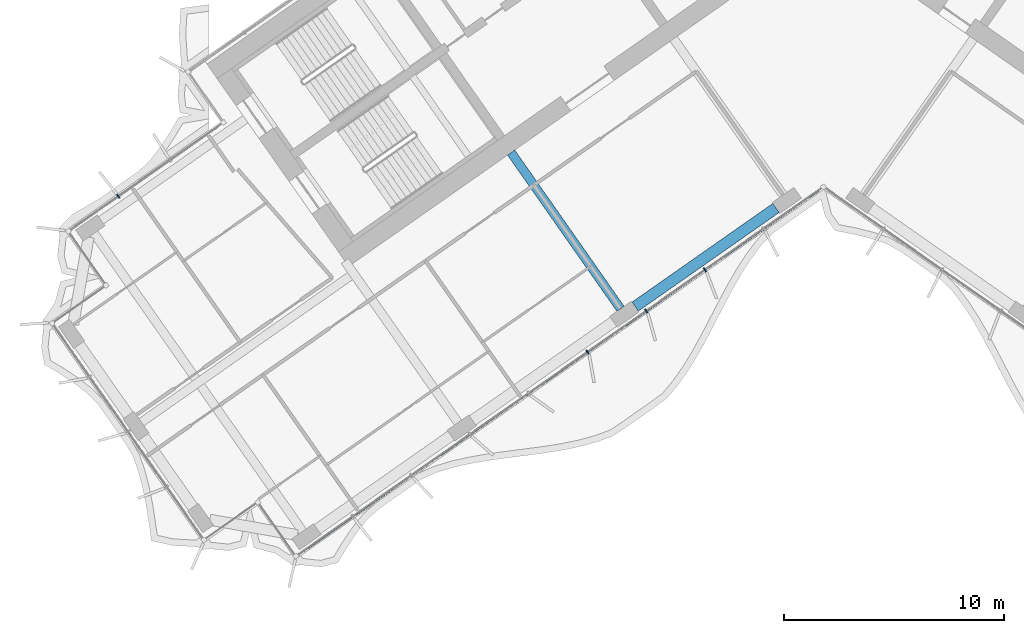
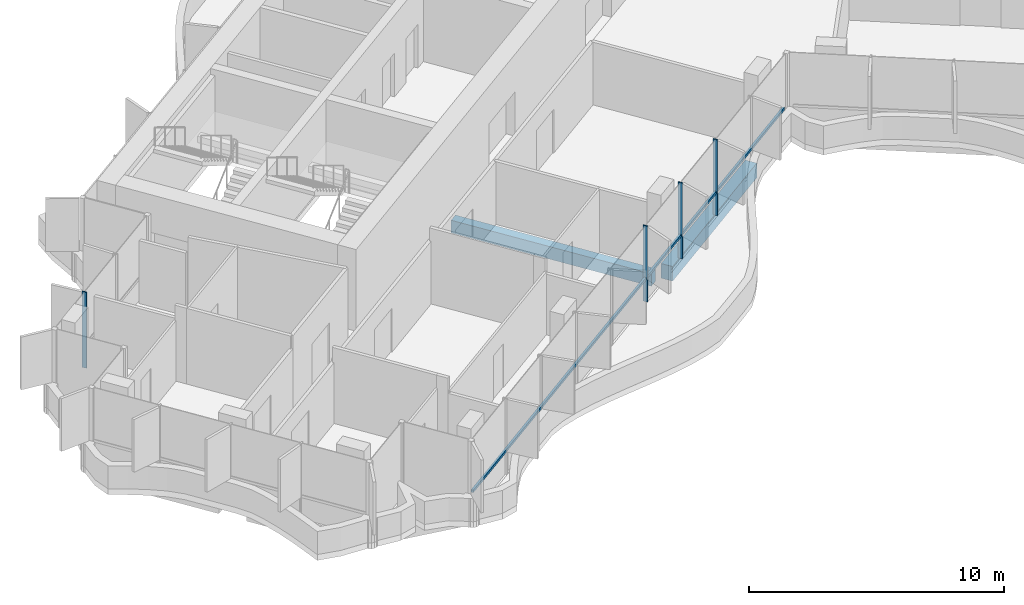
# One storey, part 3 of 21: 5 members, 2 beams, 1 element without a shape of its own.
"""IFC4 building model written with IfcOpenShell, lengths in metres."""

from ifc_helpers import new_model, si_unit, direction, frame, origin, origin_2d, place, context, subcontext, project, spatial, rectangle, extrude, material, material_profile, profile_set, type_object, element, aggregate, save


model = new_model("IFC4")

# Units and contexts
model_context = context("Model", 3, precision=1e-05, world=origin(), true_north=direction((0.0, 1.0)))
body_context = subcontext(model_context, "Body", "Model", "MODEL_VIEW")
ifc_project = project(units=[si_unit("LENGTHUNIT", "METRE"), si_unit("AREAUNIT", "SQUARE_METRE"), si_unit("VOLUMEUNIT", "CUBIC_METRE"), si_unit("PLANEANGLEUNIT", "RADIAN"), si_unit("MASSUNIT", "GRAM", prefix="KILO")], contexts=[model_context])

# Site, building, storey
site_placement = place(None, origin())
site = spatial("IfcSite", under=ifc_project, at=site_placement, CompositionType="ELEMENT")
building_placement = place(site_placement, origin())
building = spatial("IfcBuilding", under=site, at=building_placement, Name="Tel Ilan Convention Tower", CompositionType="ELEMENT")
storey_placement = place(building_placement, frame((0.0, 0.0, 206.10009765625)))
storey = spatial("IfcBuildingStorey", under=building, at=storey_placement, Name="L48", CompositionType="ELEMENT", Elevation=206.10009765625)

# Beams
ifc_material_1 = material(Name="Concrete C40/50", Category="concrete")
ifc_material_profile_1 = material_profile(ifc_material_1, rectangle(XDim=0.39990234375, YDim=0.60009765625, at=origin_2d()), Name="RC 400x600")
ifc_profile_set_1 = profile_set([ifc_material_profile_1], Name="Concrete C40/50")
beam_type_1 = type_object("IfcBeamType", Name="Beam RC 400x600 Concrete C40/50", PredefinedType="BEAM", material=ifc_profile_set_1)
beam_1_placement = place(storey_placement, frame((-9.209716796875, -18.229248046875, -0.580078125), z_axis=(-0.573574099654, 0.819153680457, 0.0), x_axis=(-0.819153680457, -0.573574099654, 0.0)))
element("IfcBeam", 1, at=beam_1_placement, inside=storey, type_object=beam_type_1, Name="L48 beam W-W-F2-core", PredefinedType="BEAM", context=body_context, shape_type="SweptSolid", body=[
    extrude(rectangle(XDim=0.39990234375, YDim=0.60009765625, at=origin_2d()), origin(), (0.0, 0.0, 1.0), 8.64990234375),
])
ifc_material_2 = material(Name="Concrete C40/50", Category="concrete")
ifc_material_profile_2 = material_profile(ifc_material_2, rectangle(XDim=0.5, YDim=0.699951171875, at=origin_2d()), Name="RC 500x700")
ifc_profile_set_2 = profile_set([ifc_material_profile_2], Name="Concrete C40/50")
beam_type_2 = type_object("IfcBeamType", Name="Beam RC 500x700 Concrete C40/50", PredefinedType="BEAM", material=ifc_profile_set_2)
beam_2_placement = place(storey_placement, frame((-2.15673828125, -13.656982421875, -0.630126953125), z_axis=(-0.819153977895, -0.573573674866, 0.0), x_axis=(0.573573674866, -0.819153977895, 0.0)))
element("IfcBeam", 2, at=beam_2_placement, inside=storey, type_object=beam_type_2, Name="L48 beam W-W-F1-W-F2", PredefinedType="BEAM", context=body_context, shape_type="SweptSolid", body=[
    extrude(rectangle(XDim=0.5, YDim=0.699951171875, at=origin_2d()), origin(), (0.0, 0.0, 1.0), 7.800048828125),
])

# Curtain wall, members
ifc_material_3 = material(Name="Aluminium, bronze anodised", Category="aluminium")
curtain_wall_type = type_object("IfcCurtainWallType", Name="CW4 STICK CURTAIN WALL, OFFICE TINTED GLASS", PredefinedType="NOTDEFINED", material=ifc_material_3)
curtain_wall_placement = place(storey_placement, origin())
curtain_wall = element("IfcCurtainWall", 3, at=curtain_wall_placement, inside=storey, type_object=curtain_wall_type, Name="Curtain wall CW4-38.02", PredefinedType="NOTDEFINED")
ifc_material_4 = material(Name="Aluminium, bronze anodised", Category="aluminium")
ifc_material_profile_3 = material_profile(ifc_material_4, rectangle(XDim=0.06005859375, YDim=0.199951171875, at=origin_2d()), Name="CW MULLION 60x200")
ifc_profile_set_3 = profile_set([ifc_material_profile_3], Name="Aluminium, bronze anodised")
member_type_1 = type_object("IfcMemberType", Name="CW MULLION 60x200", PredefinedType="MULLION", material=ifc_profile_set_3)
member_1_placement = place(storey_placement, frame((-31.991943359375, -13.123046875, 0.0), z_axis=(0.0, 0.0, 1.0), x_axis=(-0.819152044289, -0.573576436351, 0.0)))
member_1 = element("IfcMember", 4, at=member_1_placement, type_object=member_type_1, Name="Mullion", PredefinedType="MULLION", context=body_context, shape_type="SweptSolid", body=[
    extrude(rectangle(XDim=0.06005859375, YDim=0.199951171875, at=origin_2d()), origin(), (0.0, 0.0, 1.0), 3.619873046875),
])
member_2_placement = place(storey_placement, frame((-10.70556640625, -20.192138671875, 0.0), z_axis=(0.0, 0.0, 1.0), x_axis=(0.819152044289, 0.573576436351, 0.0)))
member_2 = element("IfcMember", 5, at=member_2_placement, type_object=member_type_1, Name="Mullion", PredefinedType="MULLION", context=body_context, shape_type="SweptSolid", body=[
    extrude(rectangle(XDim=0.06005859375, YDim=0.199951171875, at=origin_2d()), origin(), (0.0, 0.0, 1.0), 3.619873046875),
])
member_3_placement = place(storey_placement, frame((-8.04345703125, -18.328125, 0.0), z_axis=(0.0, 0.0, 1.0), x_axis=(0.819152044289, 0.573576436351, 0.0)))
member_3 = element("IfcMember", 6, at=member_3_placement, type_object=member_type_1, Name="Mullion", PredefinedType="MULLION", context=body_context, shape_type="SweptSolid", body=[
    extrude(rectangle(XDim=0.06005859375, YDim=0.199951171875, at=origin_2d()), origin(), (0.0, 0.0, 1.0), 3.619873046875),
])
member_4_placement = place(storey_placement, frame((-5.38134765625, -16.464111328125, 0.0), z_axis=(0.0, 0.0, 1.0), x_axis=(0.819152044289, 0.573576436351, 0.0)))
member_4 = element("IfcMember", 7, at=member_4_placement, type_object=member_type_1, Name="Mullion", PredefinedType="MULLION", context=body_context, shape_type="SweptSolid", body=[
    extrude(rectangle(XDim=0.06005859375, YDim=0.199951171875, at=origin_2d()), origin(), (0.0, 0.0, 1.0), 3.619873046875),
])
ifc_material_5 = material(Name="Aluminium, bronze anodised", Category="aluminium")
ifc_material_profile_4 = material_profile(ifc_material_5, rectangle(XDim=0.10009765625, YDim=0.1201171875, at=origin_2d()), Name="CW TRANSOM 100x120")
ifc_profile_set_4 = profile_set([ifc_material_profile_4], Name="Aluminium, bronze anodised")
member_type_2 = type_object("IfcMemberType", Name="CW TRANSOM 100x120", PredefinedType="USERDEFINED", material=ifc_profile_set_4)
member_5_placement = place(storey_placement, frame((-23.85205078125, -29.3974609375, 1.099853515625), z_axis=(0.819150008568, 0.573579343651, 0.0), x_axis=(-0.573579343651, 0.819150008568, 0.0)))
member_5 = element("IfcMember", 8, at=member_5_placement, type_object=member_type_2, Name="Transom", ObjectType="TRANSOM", PredefinedType="USERDEFINED", context=body_context, shape_type="SweptSolid", body=[
    extrude(rectangle(XDim=0.10009765625, YDim=0.1201171875, at=origin_2d()), origin(), (0.0, 0.0, 1.0), 28.84814453125),
])
aggregate(curtain_wall, [member_1, member_2, member_3, member_4, member_5])

save(model, "model.ifc")
